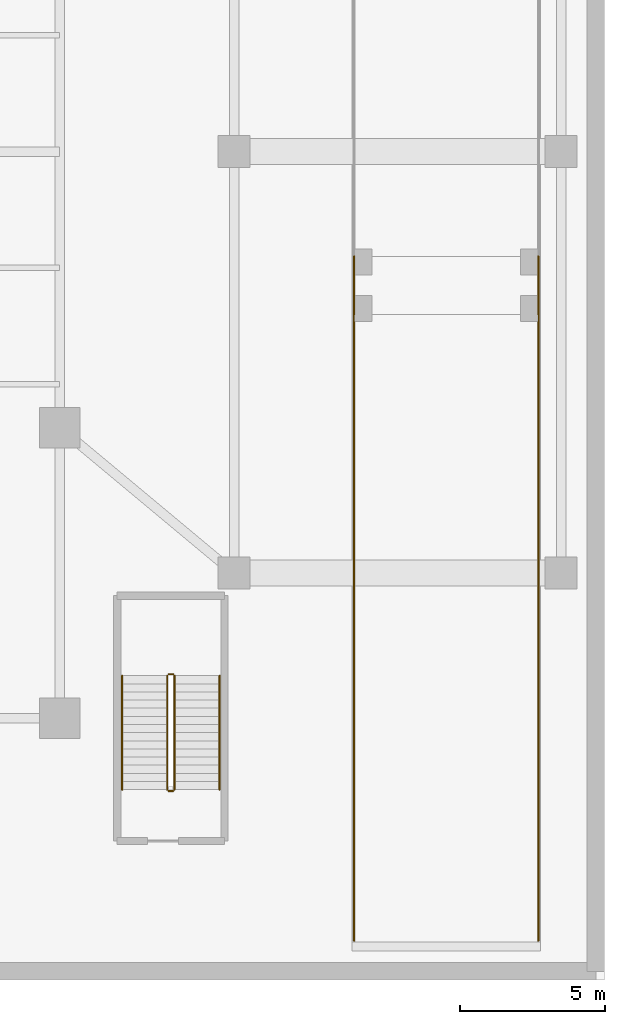
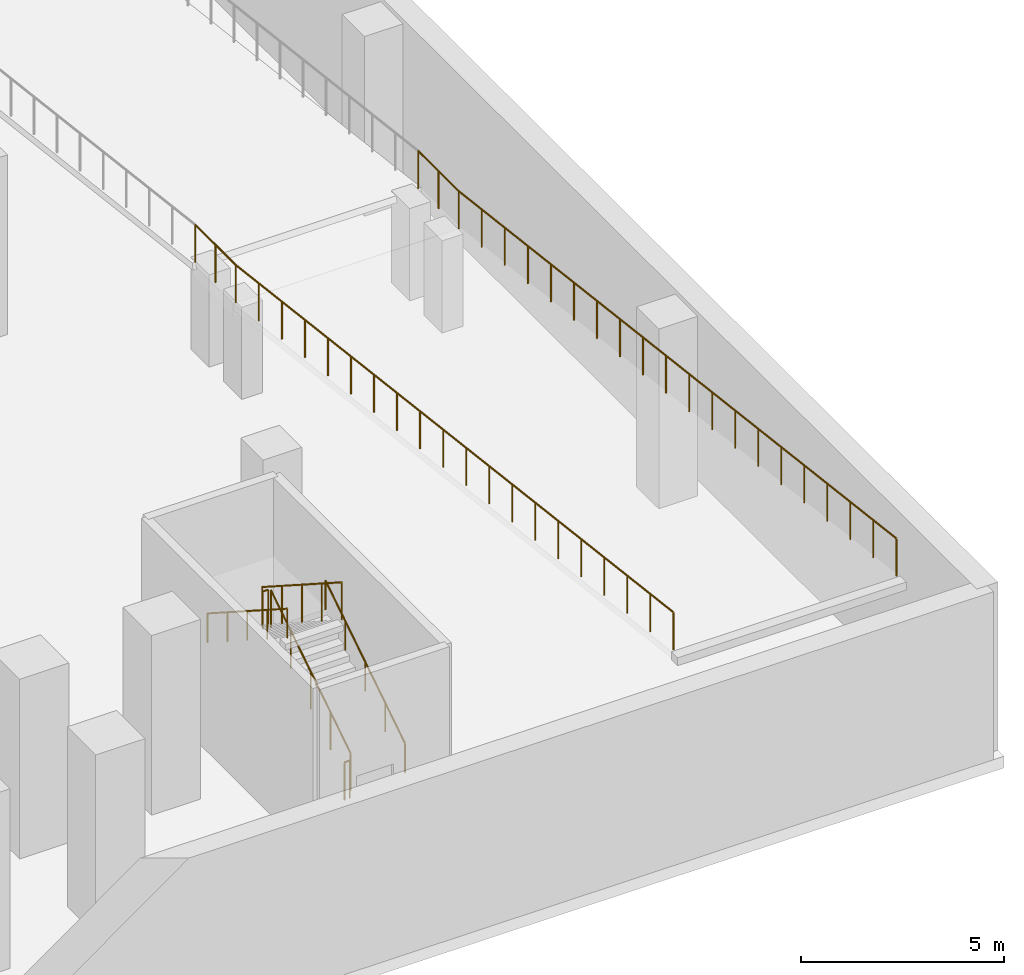
# One storey, part 13 of 14: 10 railings.
"""IFC4 building model written with IfcOpenShell, lengths in metres."""

from ifc_helpers import new_model, si_unit, direction, frame, origin, origin_2d, place, context, subcontext, project, spatial, circle, extrude, material, type_object, element, save


model = new_model("IFC4")

# Units and contexts
model_context = context("Model", 3, precision=1e-05, world=origin(), true_north=direction((0.0, 1.0)))
body_context = subcontext(model_context, "Body", "Model", "MODEL_VIEW")
ifc_project = project(units=[si_unit("LENGTHUNIT", "METRE"), si_unit("AREAUNIT", "SQUARE_METRE"), si_unit("VOLUMEUNIT", "CUBIC_METRE"), si_unit("PLANEANGLEUNIT", "RADIAN"), si_unit("MASSUNIT", "GRAM", prefix="KILO")], contexts=[model_context])

# Site, building, storey
site_placement = place(None, origin())
site = spatial("IfcSite", under=ifc_project, at=site_placement, CompositionType="ELEMENT")
building_placement = place(site_placement, origin())
building = spatial("IfcBuilding", under=site, at=building_placement, Name="Trevonay Congress Spire", CompositionType="ELEMENT")
storey_placement = place(building_placement, frame((0.0, 0.0, -5.39990234375)))
storey = spatial("IfcBuildingStorey", under=building, at=storey_placement, Name="B1", CompositionType="ELEMENT", Elevation=-5.39990234375)

# Railings
ifc_material = material(Name="Pale Anodised Aluminium EN AW-6063-T6", Category="aluminium")
railing_type_1 = type_object("IfcRailingType", Name="RAL-EXT-GUARD-115", PredefinedType="GUARDRAIL", material=ifc_material)
railing_1_placement = place(storey_placement, frame((33.3798828125, -3.60009765625, 2.77001953125)))
element("IfcRailing", 1, at=railing_1_placement, inside=storey, type_object=railing_type_1, Name="B1 perimeter safety guard GRD-B1-RMP-W-2", PredefinedType="GUARDRAIL", context=body_context, shape_type="SweptSolid", body=[
    extrude(circle(Radius=0.02392578125, at=origin_2d()), frame((0.0, 0.0, 1.1259765625), z_axis=(0.0, -1.0, 0.0), x_axis=(1.0, 0.0, 0.0)), (0.0, 0.0, 1.0), 2.0),
    extrude(circle(Radius=0.02099609375, at=origin_2d()), origin(), (0.0, 0.0, 1.0), 1.101806640625),
    extrude(circle(Radius=0.02099609375, at=origin_2d()), frame((0.0, -1.0, 0.0)), (0.0, 0.0, 1.0), 1.101806640625),
    extrude(circle(Radius=0.02099609375, at=origin_2d()), frame((0.0, -2.0, 0.0)), (0.0, 0.0, 1.0), 1.101806640625),
])
railing_2_placement = place(storey_placement, frame((33.3798828125, -5.60009765625, 2.77001953125)))
element("IfcRailing", 2, at=railing_2_placement, inside=storey, type_object=railing_type_1, Name="B1 perimeter safety guard GRD-B1-RMP-W-3", PredefinedType="GUARDRAIL", context=body_context, shape_type="SweptSolid", body=[
    extrude(circle(Radius=0.02392578125, at=origin_2d()), frame((0.0, 0.0, 1.1259765625), z_axis=(0.0, -0.992635590678, 0.121138697861), x_axis=(1.0, 0.0, 0.0)), (0.0, 0.0, 1.0), 21.709716796875),
    extrude(circle(Radius=0.02099609375, at=origin_2d()), origin(), (0.0, 0.0, 1.0), 1.101806640625),
    extrude(circle(Radius=0.02099609375, at=origin_2d()), frame((0.0, -1.13427734375, 0.138427734375)), (0.0, 0.0, 1.0), 1.101806640625),
    extrude(circle(Radius=0.02099609375, at=origin_2d()), frame((0.0, -2.268310546875, 0.27685546875)), (0.0, 0.0, 1.0), 1.101806640625),
    extrude(circle(Radius=0.02099609375, at=origin_2d()), frame((0.0, -3.402587890625, 0.415283203125)), (0.0, 0.0, 1.0), 1.101806640625),
    extrude(circle(Radius=0.02099609375, at=origin_2d()), frame((0.0, -4.536865234375, 0.5537109375)), (0.0, 0.0, 1.0), 1.101806640625),
    extrude(circle(Radius=0.02099609375, at=origin_2d()), frame((0.0, -5.6708984375, 0.692138671875)), (0.0, 0.0, 1.0), 1.101806640625),
    extrude(circle(Radius=0.02099609375, at=origin_2d()), frame((0.0, -6.80517578125, 0.83056640625)), (0.0, 0.0, 1.0), 1.101806640625),
    extrude(circle(Radius=0.02099609375, at=origin_2d()), frame((0.0, -7.939453125, 0.968994140625)), (0.0, 0.0, 1.0), 1.101806640625),
    extrude(circle(Radius=0.02099609375, at=origin_2d()), frame((0.0, -9.073486328125, 1.107421875)), (0.0, 0.0, 1.0), 1.101806640625),
    extrude(circle(Radius=0.02099609375, at=origin_2d()), frame((0.0, -10.207763671875, 1.245849609375)), (0.0, 0.0, 1.0), 1.101806640625),
    extrude(circle(Radius=0.02099609375, at=origin_2d()), frame((0.0, -11.342041015625, 1.384033203125)), (0.0, 0.0, 1.0), 1.101806640625),
    extrude(circle(Radius=0.02099609375, at=origin_2d()), frame((0.0, -12.476318359375, 1.5224609375)), (0.0, 0.0, 1.0), 1.101806640625),
    extrude(circle(Radius=0.02099609375, at=origin_2d()), frame((0.0, -13.6103515625, 1.660888671875)), (0.0, 0.0, 1.0), 1.101806640625),
    extrude(circle(Radius=0.02099609375, at=origin_2d()), frame((0.0, -14.74462890625, 1.79931640625)), (0.0, 0.0, 1.0), 1.101806640625),
    extrude(circle(Radius=0.02099609375, at=origin_2d()), frame((0.0, -15.87890625, 1.937744140625)), (0.0, 0.0, 1.0), 1.101806640625),
    extrude(circle(Radius=0.02099609375, at=origin_2d()), frame((0.0, -17.012939453125, 2.076171875)), (0.0, 0.0, 1.0), 1.101806640625),
    extrude(circle(Radius=0.02099609375, at=origin_2d()), frame((0.0, -18.147216796875, 2.214599609375)), (0.0, 0.0, 1.0), 1.101806640625),
    extrude(circle(Radius=0.02099609375, at=origin_2d()), frame((0.0, -19.281494140625, 2.35302734375)), (0.0, 0.0, 1.0), 1.101806640625),
    extrude(circle(Radius=0.02099609375, at=origin_2d()), frame((0.0, -20.41552734375, 2.491455078125)), (0.0, 0.0, 1.0), 1.101806640625),
    extrude(circle(Radius=0.02099609375, at=origin_2d()), frame((0.0, -21.5498046875, 2.6298828125)), (0.0, 0.0, 1.0), 1.101806640625),
])
railing_3_placement = place(storey_placement, frame((39.719970703125, -3.60009765625, 2.77001953125)))
element("IfcRailing", 3, at=railing_3_placement, inside=storey, type_object=railing_type_1, Name="B1 perimeter safety guard GRD-B1-RMP-E-2", PredefinedType="GUARDRAIL", context=body_context, shape_type="SweptSolid", body=[
    extrude(circle(Radius=0.02392578125, at=origin_2d()), frame((0.0, 0.0, 1.1259765625), z_axis=(0.0, -1.0, 0.0), x_axis=(1.0, 0.0, 0.0)), (0.0, 0.0, 1.0), 2.0),
    extrude(circle(Radius=0.02099609375, at=origin_2d()), origin(), (0.0, 0.0, 1.0), 1.101806640625),
    extrude(circle(Radius=0.02099609375, at=origin_2d()), frame((0.0, -1.0, 0.0)), (0.0, 0.0, 1.0), 1.101806640625),
    extrude(circle(Radius=0.02099609375, at=origin_2d()), frame((0.0, -2.0, 0.0)), (0.0, 0.0, 1.0), 1.101806640625),
])
railing_4_placement = place(storey_placement, frame((39.719970703125, -5.60009765625, 2.77001953125)))
element("IfcRailing", 4, at=railing_4_placement, inside=storey, type_object=railing_type_1, Name="B1 perimeter safety guard GRD-B1-RMP-E-3", PredefinedType="GUARDRAIL", context=body_context, shape_type="SweptSolid", body=[
    extrude(circle(Radius=0.02392578125, at=origin_2d()), frame((0.0, 0.0, 1.1259765625), z_axis=(0.0, -0.992635590678, 0.121138697861), x_axis=(1.0, 0.0, 0.0)), (0.0, 0.0, 1.0), 21.709716796875),
    extrude(circle(Radius=0.02099609375, at=origin_2d()), origin(), (0.0, 0.0, 1.0), 1.101806640625),
    extrude(circle(Radius=0.02099609375, at=origin_2d()), frame((0.0, -1.13427734375, 0.138427734375)), (0.0, 0.0, 1.0), 1.101806640625),
    extrude(circle(Radius=0.02099609375, at=origin_2d()), frame((0.0, -2.268310546875, 0.27685546875)), (0.0, 0.0, 1.0), 1.101806640625),
    extrude(circle(Radius=0.02099609375, at=origin_2d()), frame((0.0, -3.402587890625, 0.415283203125)), (0.0, 0.0, 1.0), 1.101806640625),
    extrude(circle(Radius=0.02099609375, at=origin_2d()), frame((0.0, -4.536865234375, 0.5537109375)), (0.0, 0.0, 1.0), 1.101806640625),
    extrude(circle(Radius=0.02099609375, at=origin_2d()), frame((0.0, -5.6708984375, 0.692138671875)), (0.0, 0.0, 1.0), 1.101806640625),
    extrude(circle(Radius=0.02099609375, at=origin_2d()), frame((0.0, -6.80517578125, 0.83056640625)), (0.0, 0.0, 1.0), 1.101806640625),
    extrude(circle(Radius=0.02099609375, at=origin_2d()), frame((0.0, -7.939453125, 0.968994140625)), (0.0, 0.0, 1.0), 1.101806640625),
    extrude(circle(Radius=0.02099609375, at=origin_2d()), frame((0.0, -9.073486328125, 1.107421875)), (0.0, 0.0, 1.0), 1.101806640625),
    extrude(circle(Radius=0.02099609375, at=origin_2d()), frame((0.0, -10.207763671875, 1.245849609375)), (0.0, 0.0, 1.0), 1.101806640625),
    extrude(circle(Radius=0.02099609375, at=origin_2d()), frame((0.0, -11.342041015625, 1.384033203125)), (0.0, 0.0, 1.0), 1.101806640625),
    extrude(circle(Radius=0.02099609375, at=origin_2d()), frame((0.0, -12.476318359375, 1.5224609375)), (0.0, 0.0, 1.0), 1.101806640625),
    extrude(circle(Radius=0.02099609375, at=origin_2d()), frame((0.0, -13.6103515625, 1.660888671875)), (0.0, 0.0, 1.0), 1.101806640625),
    extrude(circle(Radius=0.02099609375, at=origin_2d()), frame((0.0, -14.74462890625, 1.79931640625)), (0.0, 0.0, 1.0), 1.101806640625),
    extrude(circle(Radius=0.02099609375, at=origin_2d()), frame((0.0, -15.87890625, 1.937744140625)), (0.0, 0.0, 1.0), 1.101806640625),
    extrude(circle(Radius=0.02099609375, at=origin_2d()), frame((0.0, -17.012939453125, 2.076171875)), (0.0, 0.0, 1.0), 1.101806640625),
    extrude(circle(Radius=0.02099609375, at=origin_2d()), frame((0.0, -18.147216796875, 2.214599609375)), (0.0, 0.0, 1.0), 1.101806640625),
    extrude(circle(Radius=0.02099609375, at=origin_2d()), frame((0.0, -19.281494140625, 2.35302734375)), (0.0, 0.0, 1.0), 1.101806640625),
    extrude(circle(Radius=0.02099609375, at=origin_2d()), frame((0.0, -20.41552734375, 2.491455078125)), (0.0, 0.0, 1.0), 1.101806640625),
    extrude(circle(Radius=0.02099609375, at=origin_2d()), frame((0.0, -21.5498046875, 2.6298828125)), (0.0, 0.0, 1.0), 1.101806640625),
])
railing_type_2 = type_object("IfcRailingType", Name="RAL-STAIR-GUARD-110", PredefinedType="GUARDRAIL", material=ifc_material)
railing_5_placement = place(storey_placement, frame((27.199951171875, -21.949951171875, 0.179931640625)))
element("IfcRailing", 5, at=railing_5_placement, inside=storey, type_object=railing_type_2, Name="B1 ST-4 stair guard 1", PredefinedType="GUARDRAIL", context=body_context, shape_type="SweptSolid", body=[
    extrude(circle(Radius=0.02392578125, at=origin_2d()), frame((0.0, 0.0, 1.1259765625), z_axis=(0.0, 0.841171666519, 0.540768182723), x_axis=(-1.0, 0.0, 0.0)), (0.0, 0.0, 1.0), 4.66015625),
    extrude(circle(Radius=0.02099609375, at=origin_2d()), origin(), (0.0, 0.0, 1.0), 1.101806640625),
    extrude(circle(Radius=0.02099609375, at=origin_2d()), frame((0.0, 0.97998046875, 0.6298828125)), (0.0, 0.0, 1.0), 1.101806640625),
    extrude(circle(Radius=0.02099609375, at=origin_2d()), frame((0.0, 1.9599609375, 1.260009765625)), (0.0, 0.0, 1.0), 1.101806640625),
    extrude(circle(Radius=0.02099609375, at=origin_2d()), frame((0.0, 2.93994140625, 1.89013671875)), (0.0, 0.0, 1.0), 1.101806640625),
    extrude(circle(Radius=0.02099609375, at=origin_2d()), frame((0.0, 3.919921875, 2.52001953125)), (0.0, 0.0, 1.0), 1.101806640625),
])
railing_6_placement = place(storey_placement, frame((27.14990234375, -17.97998046875, 2.699951171875)))
element("IfcRailing", 6, at=railing_6_placement, inside=storey, type_object=railing_type_2, Name="B1 ST-4 stair guard 2", PredefinedType="GUARDRAIL", context=body_context, shape_type="SweptSolid", body=[
    extrude(circle(Radius=0.02392578125, at=origin_2d()), frame((0.0, 0.0, 1.1259765625), z_axis=(-1.0, 0.0, 0.0), x_axis=(0.0, -1.0, 0.0)), (0.0, 0.0, 1.0), 0.14990234375),
    extrude(circle(Radius=0.02099609375, at=origin_2d()), origin(), (0.0, 0.0, 1.0), 1.101806640625),
    extrude(circle(Radius=0.02099609375, at=origin_2d()), frame((-0.14990234375, 0.0, 0.0)), (0.0, 0.0, 1.0), 1.101806640625),
])
railing_7_placement = place(storey_placement, frame((26.949951171875, -18.030029296875, 2.8798828125)))
element("IfcRailing", 7, at=railing_7_placement, inside=storey, type_object=railing_type_2, Name="B1 ST-4 stair guard 3", PredefinedType="GUARDRAIL", context=body_context, shape_type="SweptSolid", body=[
    extrude(circle(Radius=0.02392578125, at=origin_2d()), frame((0.0, 0.0, 1.1259765625), z_axis=(0.0, -0.841171666519, 0.540768182723), x_axis=(1.0, 0.0, 0.0)), (0.0, 0.0, 1.0), 4.66015625),
    extrude(circle(Radius=0.02099609375, at=origin_2d()), origin(), (0.0, 0.0, 1.0), 1.101806640625),
    extrude(circle(Radius=0.02099609375, at=origin_2d()), frame((0.0, -0.97998046875, 0.6298828125)), (0.0, 0.0, 1.0), 1.101806640625),
    extrude(circle(Radius=0.02099609375, at=origin_2d()), frame((0.0, -1.9599609375, 1.260009765625)), (0.0, 0.0, 1.0), 1.101806640625),
    extrude(circle(Radius=0.02099609375, at=origin_2d()), frame((0.0, -2.93994140625, 1.89013671875)), (0.0, 0.0, 1.0), 1.101806640625),
    extrude(circle(Radius=0.02099609375, at=origin_2d()), frame((0.0, -3.919921875, 2.52001953125)), (0.0, 0.0, 1.0), 1.101806640625),
])
railing_8_placement = place(storey_placement, frame((27.14990234375, -22.0, 0.0)))
element("IfcRailing", 8, at=railing_8_placement, inside=storey, type_object=railing_type_2, Name="B1 ST-4 stair guard 4", PredefinedType="GUARDRAIL", context=body_context, shape_type="SweptSolid", body=[
    extrude(circle(Radius=0.02392578125, at=origin_2d()), frame((0.0, 0.0, 1.1259765625), z_axis=(-1.0, 0.0, 0.0), x_axis=(0.0, -1.0, 0.0)), (0.0, 0.0, 1.0), 0.14990234375),
    extrude(circle(Radius=0.02099609375, at=origin_2d()), origin(), (0.0, 0.0, 1.0), 1.101806640625),
    extrude(circle(Radius=0.02099609375, at=origin_2d()), frame((-0.14990234375, 0.0, 0.0)), (0.0, 0.0, 1.0), 1.101806640625),
])
railing_type_3 = type_object("IfcRailingType", Name="RAL-STAIR-HANDRAIL", PredefinedType="HANDRAIL", material=ifc_material)
railing_9_placement = place(storey_placement, frame((28.75, -21.949951171875, 0.179931640625)))
element("IfcRailing", 9, at=railing_9_placement, inside=storey, type_object=railing_type_3, Name="B1 ST-4 stair handrail 1", PredefinedType="HANDRAIL", context=body_context, shape_type="SweptSolid", body=[
    extrude(circle(Radius=0.02392578125, at=origin_2d()), frame((0.0, 0.0, 0.8759765625), z_axis=(0.0, 0.841171666519, 0.540768182723), x_axis=(-1.0, 0.0, 0.0)), (0.0, 0.0, 1.0), 4.66015625),
    extrude(circle(Radius=0.02099609375, at=origin_2d()), origin(), (0.0, 0.0, 1.0), 0.851806640625),
    extrude(circle(Radius=0.02099609375, at=origin_2d()), frame((0.0, 0.97998046875, 0.6298828125)), (0.0, 0.0, 1.0), 0.851806640625),
    extrude(circle(Radius=0.02099609375, at=origin_2d()), frame((0.0, 1.9599609375, 1.260009765625)), (0.0, 0.0, 1.0), 0.851806640625),
    extrude(circle(Radius=0.02099609375, at=origin_2d()), frame((0.0, 2.93994140625, 1.89013671875)), (0.0, 0.0, 1.0), 0.851806640625),
    extrude(circle(Radius=0.02099609375, at=origin_2d()), frame((0.0, 3.919921875, 2.52001953125)), (0.0, 0.0, 1.0), 0.851806640625),
])
railing_10_placement = place(storey_placement, frame((25.39990234375, -18.030029296875, 2.8798828125)))
element("IfcRailing", 10, at=railing_10_placement, inside=storey, type_object=railing_type_3, Name="B1 ST-4 stair handrail 2", PredefinedType="HANDRAIL", context=body_context, shape_type="SweptSolid", body=[
    extrude(circle(Radius=0.02392578125, at=origin_2d()), frame((0.0, 0.0, 0.8759765625), z_axis=(0.0, -0.841171666519, 0.540768182723), x_axis=(1.0, 0.0, 0.0)), (0.0, 0.0, 1.0), 4.66015625),
    extrude(circle(Radius=0.02099609375, at=origin_2d()), origin(), (0.0, 0.0, 1.0), 0.851806640625),
    extrude(circle(Radius=0.02099609375, at=origin_2d()), frame((0.0, -0.97998046875, 0.6298828125)), (0.0, 0.0, 1.0), 0.851806640625),
    extrude(circle(Radius=0.02099609375, at=origin_2d()), frame((0.0, -1.9599609375, 1.260009765625)), (0.0, 0.0, 1.0), 0.851806640625),
    extrude(circle(Radius=0.02099609375, at=origin_2d()), frame((0.0, -2.93994140625, 1.89013671875)), (0.0, 0.0, 1.0), 0.851806640625),
    extrude(circle(Radius=0.02099609375, at=origin_2d()), frame((0.0, -3.919921875, 2.52001953125)), (0.0, 0.0, 1.0), 0.851806640625),
])

save(model, "model.ifc")
